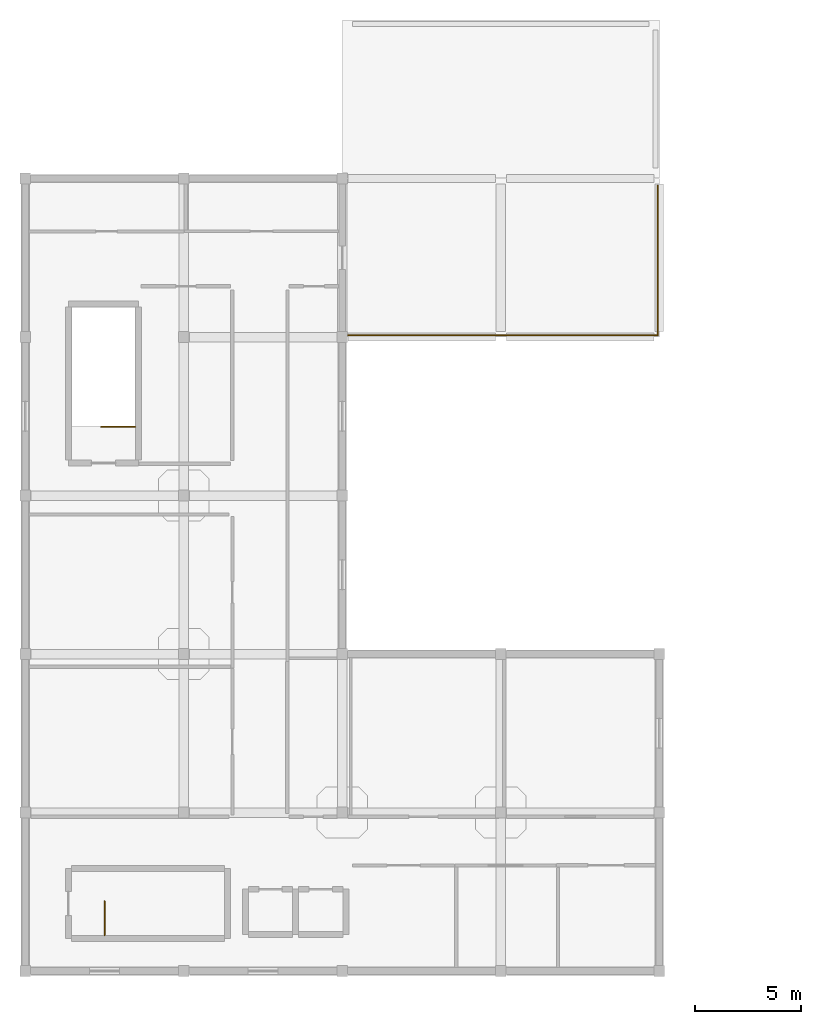
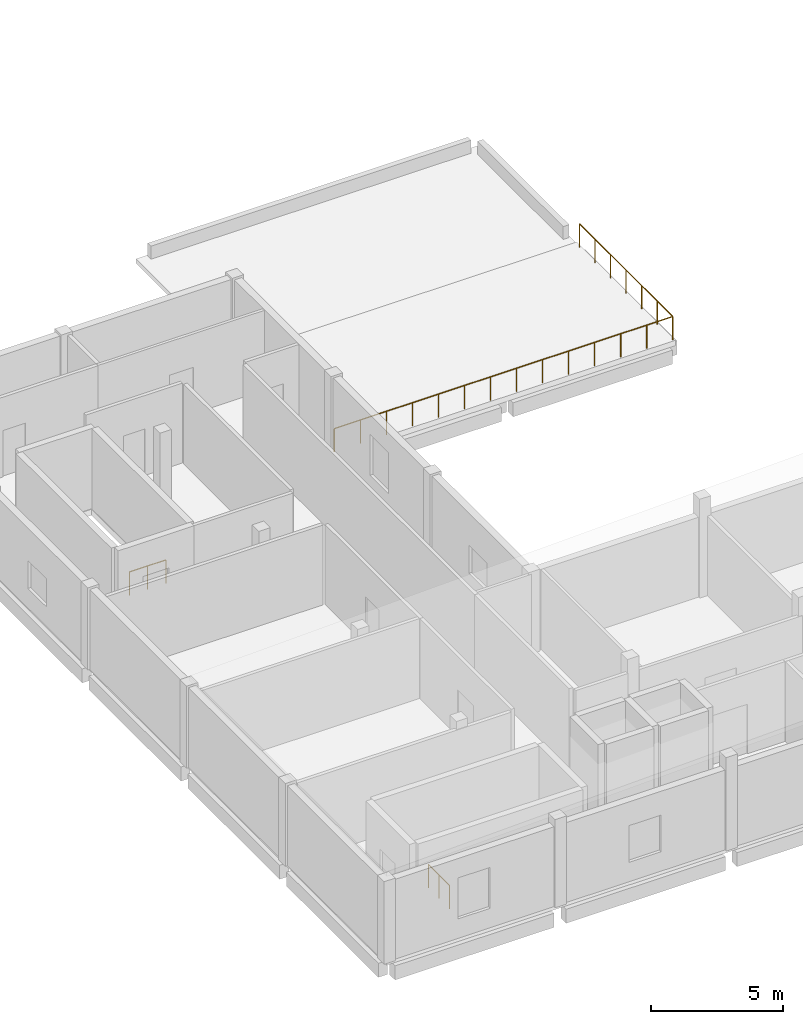
# One storey, part 7 of 8: 4 railings.
"""IFC4 building model written with IfcOpenShell, lengths in metres."""

from ifc_helpers import new_model, si_unit, direction, frame, origin, origin_2d, place, context, subcontext, project, spatial, circle, extrude, material, type_object, element, save


model = new_model("IFC4")

# Units and contexts
model_context = context("Model", 3, precision=1e-05, world=origin(), true_north=direction((0.0, 1.0)))
body_context = subcontext(model_context, "Body", "Model", "MODEL_VIEW")
ifc_project = project(units=[si_unit("LENGTHUNIT", "METRE"), si_unit("AREAUNIT", "SQUARE_METRE"), si_unit("VOLUMEUNIT", "CUBIC_METRE"), si_unit("PLANEANGLEUNIT", "RADIAN"), si_unit("MASSUNIT", "GRAM", prefix="KILO")], contexts=[model_context])

# Site, building, storey
site_placement = place(None, origin())
site = spatial("IfcSite", under=ifc_project, at=site_placement, CompositionType="ELEMENT")
building_placement = place(site_placement, origin())
building = spatial("IfcBuilding", under=site, at=building_placement, Name="Mawjan Specialist Oncology Clinic", CompositionType="ELEMENT")
storey_placement = place(building_placement, frame((0.0, 0.0, 21.5)))
storey = spatial("IfcBuildingStorey", under=building, at=storey_placement, Name="L05", CompositionType="ELEMENT", Elevation=21.5)

# Railings
ifc_material_1 = material(Name="Laminated glass and stainless-steel balustrade", Category="steel")
railing_type_1 = type_object("IfcRailingType", Name="BL-110", PredefinedType="BALUSTRADE", material=ifc_material_1)
railing_1_placement = place(storey_placement, frame((29.919921875, 37.9599609375, 0.0)))
element("IfcRailing", 1, at=railing_1_placement, inside=storey, type_object=railing_type_1, Name="L05 Terrace Edge Balustrade 9", PredefinedType="BALUSTRADE", context=body_context, shape_type="SweptSolid", body=[
    extrude(circle(Radius=0.02392578125, at=origin_2d()), frame((0.0, 0.0, 1.076171875), z_axis=(0.0, -1.0, 0.0), x_axis=(1.0, 0.0, 0.0)), (0.0, 0.0, 1.0), 7.080078125),
    extrude(circle(Radius=0.02099609375, at=origin_2d()), origin(), (0.0, 0.0, 1.0), 1.052001953125),
    extrude(circle(Radius=0.02099609375, at=origin_2d()), frame((0.0, -1.179931640625, 0.0)), (0.0, 0.0, 1.0), 1.052001953125),
    extrude(circle(Radius=0.02099609375, at=origin_2d()), frame((0.0, -2.360107421875, 0.0)), (0.0, 0.0, 1.0), 1.052001953125),
    extrude(circle(Radius=0.02099609375, at=origin_2d()), frame((0.0, -3.5400390625, 0.0)), (0.0, 0.0, 1.0), 1.052001953125),
    extrude(circle(Radius=0.02099609375, at=origin_2d()), frame((0.0, -4.719970703125, 0.0)), (0.0, 0.0, 1.0), 1.052001953125),
    extrude(circle(Radius=0.02099609375, at=origin_2d()), frame((0.0, -5.900146484375, 0.0)), (0.0, 0.0, 1.0), 1.052001953125),
    extrude(circle(Radius=0.02099609375, at=origin_2d()), frame((0.0, -7.080078125, 0.0)), (0.0, 0.0, 1.0), 1.052001953125),
])
railing_2_placement = place(storey_placement, frame((29.919921875, 30.8798828125, 0.0)))
element("IfcRailing", 2, at=railing_2_placement, inside=storey, type_object=railing_type_1, Name="L05 Terrace Edge Balustrade 10", PredefinedType="BALUSTRADE", context=body_context, shape_type="SweptSolid", body=[
    extrude(circle(Radius=0.02392578125, at=origin_2d()), frame((0.0, 0.0, 1.076171875), z_axis=(-1.0, 0.0, 0.0), x_axis=(0.0, -1.0, 0.0)), (0.0, 0.0, 1.0), 14.83984375),
    extrude(circle(Radius=0.02099609375, at=origin_2d()), origin(), (0.0, 0.0, 1.0), 1.052001953125),
    extrude(circle(Radius=0.02099609375, at=origin_2d()), frame((-1.1416015625, 0.0, 0.0)), (0.0, 0.0, 1.0), 1.052001953125),
    extrude(circle(Radius=0.02099609375, at=origin_2d()), frame((-2.282958984375, 0.0, 0.0)), (0.0, 0.0, 1.0), 1.052001953125),
    extrude(circle(Radius=0.02099609375, at=origin_2d()), frame((-3.424560546875, 0.0, 0.0)), (0.0, 0.0, 1.0), 1.052001953125),
    extrude(circle(Radius=0.02099609375, at=origin_2d()), frame((-4.566162109375, 0.0, 0.0)), (0.0, 0.0, 1.0), 1.052001953125),
    extrude(circle(Radius=0.02099609375, at=origin_2d()), frame((-5.70751953125, 0.0, 0.0)), (0.0, 0.0, 1.0), 1.052001953125),
    extrude(circle(Radius=0.02099609375, at=origin_2d()), frame((-6.84912109375, 0.0, 0.0)), (0.0, 0.0, 1.0), 1.052001953125),
    extrude(circle(Radius=0.02099609375, at=origin_2d()), frame((-7.99072265625, 0.0, 0.0)), (0.0, 0.0, 1.0), 1.052001953125),
    extrude(circle(Radius=0.02099609375, at=origin_2d()), frame((-9.13232421875, 0.0, 0.0)), (0.0, 0.0, 1.0), 1.052001953125),
    extrude(circle(Radius=0.02099609375, at=origin_2d()), frame((-10.273681640625, 0.0, 0.0)), (0.0, 0.0, 1.0), 1.052001953125),
    extrude(circle(Radius=0.02099609375, at=origin_2d()), frame((-11.415283203125, 0.0, 0.0)), (0.0, 0.0, 1.0), 1.052001953125),
    extrude(circle(Radius=0.02099609375, at=origin_2d()), frame((-12.556884765625, 0.0, 0.0)), (0.0, 0.0, 1.0), 1.052001953125),
    extrude(circle(Radius=0.02099609375, at=origin_2d()), frame((-13.6982421875, 0.0, 0.0)), (0.0, 0.0, 1.0), 1.052001953125),
    extrude(circle(Radius=0.02099609375, at=origin_2d()), frame((-14.83984375, 0.0, 0.0)), (0.0, 0.0, 1.0), 1.052001953125),
])
ifc_material_2 = material(Name="Powder-coated steel stair guard with vertical infill pickets", Category="steel")
railing_type_2 = type_object("IfcRailingType", Name="GR-110", PredefinedType="GUARDRAIL", material=ifc_material_2)
railing_3_placement = place(storey_placement, frame((3.75, 2.5, 0.0)))
element("IfcRailing", 3, at=railing_3_placement, inside=storey, type_object=railing_type_2, Name="L05 ST-01 top well guard 1", PredefinedType="GUARDRAIL", context=body_context, shape_type="SweptSolid", body=[
    extrude(circle(Radius=0.02392578125, at=origin_2d()), frame((0.0, 0.0, 1.076171875), z_axis=(0.0, 1.0, 0.0), x_axis=(-1.0, 0.0, 0.0)), (0.0, 0.0, 1.0), 1.60009765625),
    extrude(circle(Radius=0.02099609375, at=origin_2d()), origin(), (0.0, 0.0, 1.0), 1.052001953125),
    extrude(circle(Radius=0.02099609375, at=origin_2d()), frame((0.0, 0.800048828125, 0.0)), (0.0, 0.0, 1.0), 1.052001953125),
    extrude(circle(Radius=0.02099609375, at=origin_2d()), frame((0.0, 1.60009765625, 0.0)), (0.0, 0.0, 1.0), 1.052001953125),
])
railing_4_placement = place(storey_placement, frame((5.199951171875, 26.550048828125, 0.0)))
element("IfcRailing", 4, at=railing_4_placement, inside=storey, type_object=railing_type_2, Name="L05 ST-02 top well guard 1", PredefinedType="GUARDRAIL", context=body_context, shape_type="SweptSolid", body=[
    extrude(circle(Radius=0.02392578125, at=origin_2d()), frame((0.0, 0.0, 1.076171875), z_axis=(-1.0, 0.0, 0.0), x_axis=(0.0, -1.0, 0.0)), (0.0, 0.0, 1.0), 1.599853515625),
    extrude(circle(Radius=0.02099609375, at=origin_2d()), origin(), (0.0, 0.0, 1.0), 1.052001953125),
    extrude(circle(Radius=0.02099609375, at=origin_2d()), frame((-0.7998046875, 0.0, 0.0)), (0.0, 0.0, 1.0), 1.052001953125),
    extrude(circle(Radius=0.02099609375, at=origin_2d()), frame((-1.599853515625, 0.0, 0.0)), (0.0, 0.0, 1.0), 1.052001953125),
])

save(model, "model.ifc")
